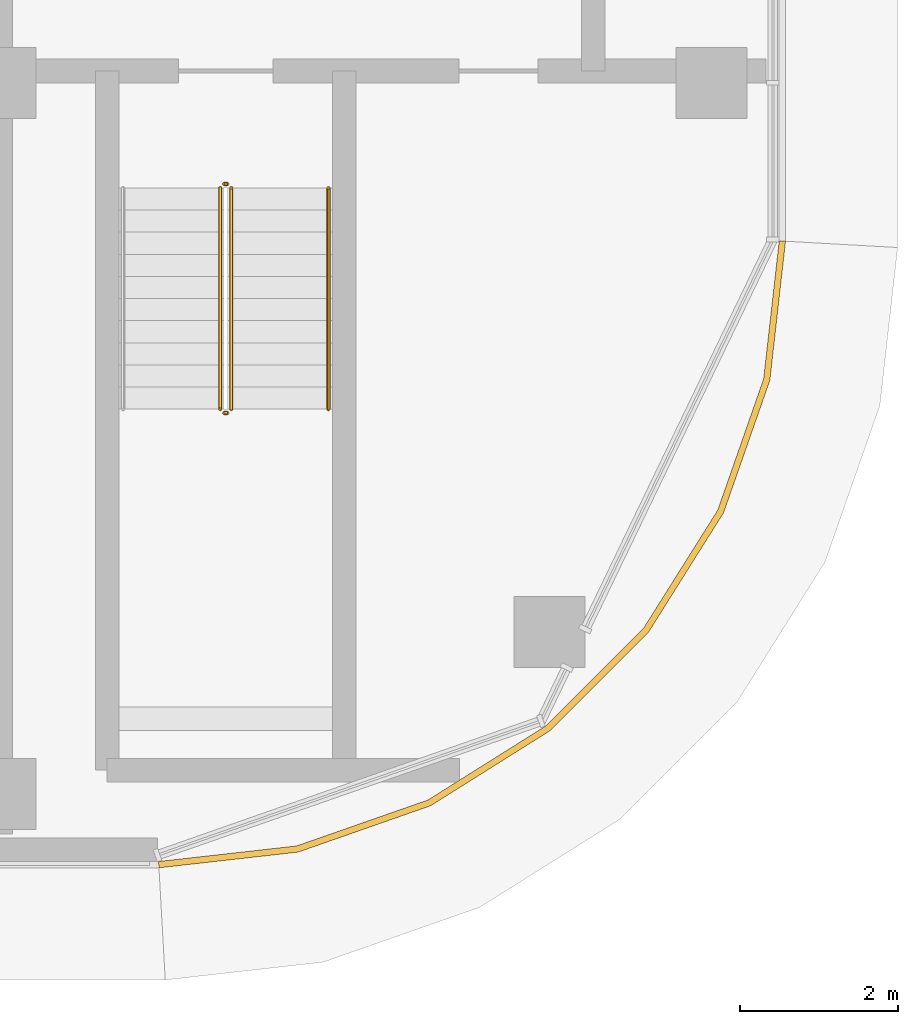
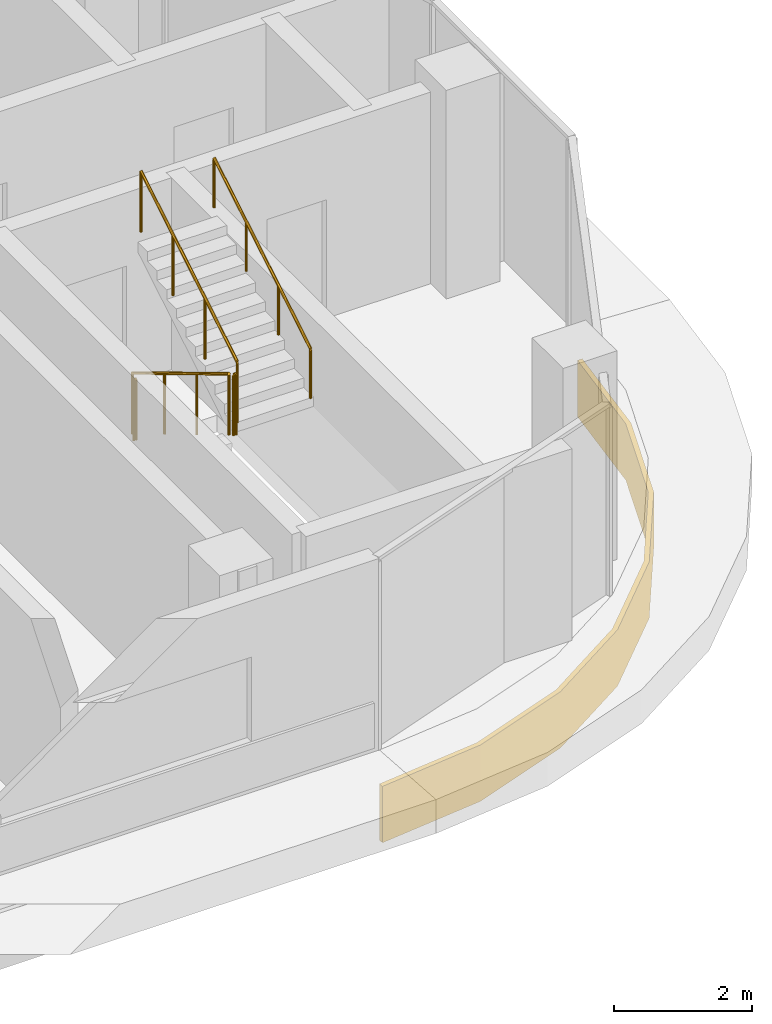
# One storey, part 21 of 22: 5 railings, 1 covering.
"""IFC4 building model written with IfcOpenShell, lengths in metres."""

from ifc_helpers import new_model, si_unit, direction, frame, origin, origin_2d, place, context, subcontext, project, spatial, polyline, circle, outline, extrude, material, layer, layer_set, type_object, element, save


model = new_model("IFC4")

# Units and contexts
model_context = context("Model", 3, precision=1e-05, world=origin(), true_north=direction((0.0, 1.0)))
body_context = subcontext(model_context, "Body", "Model", "MODEL_VIEW")
ifc_project = project(units=[si_unit("LENGTHUNIT", "METRE"), si_unit("AREAUNIT", "SQUARE_METRE"), si_unit("VOLUMEUNIT", "CUBIC_METRE"), si_unit("PLANEANGLEUNIT", "RADIAN"), si_unit("MASSUNIT", "GRAM", prefix="KILO")], contexts=[model_context])

# Site, building, storey
site_placement = place(None, origin())
site = spatial("IfcSite", under=ifc_project, at=site_placement, CompositionType="ELEMENT")
building_placement = place(site_placement, origin())
building = spatial("IfcBuilding", under=site, at=building_placement, Name="Ogive Portal Towers", CompositionType="ELEMENT")
storey_placement = place(building_placement, frame((0.0, 0.0, 206.89990234375)))
storey = spatial("IfcBuildingStorey", under=building, at=storey_placement, Name="L51", CompositionType="ELEMENT", Elevation=206.89990234375)

# Railings
ifc_material_1 = material(Name="Stainless steel balustrade", Category="steel")
railing_type_1 = type_object("IfcRailingType", Name="INT-GUARD", PredefinedType="GUARDRAIL", material=ifc_material_1)
railing_1_placement = place(storey_placement, frame((88.280029296875, 29.169921875, 0.168212890625)))
element("IfcRailing", 1, at=railing_1_placement, inside=storey, type_object=railing_type_1, Name="L51 ST-A4 stair guard 1", PredefinedType="GUARDRAIL", context=body_context, shape_type="SweptSolid", body=[
    extrude(circle(Radius=0.02392578125, at=origin_2d()), frame((0.0, 0.0, 1.076171875), z_axis=(0.0, -0.857222391501, 0.514946377315), x_axis=(1.0, 0.0, 0.0)), (0.0, 0.0, 1.0), 3.26611328125),
    extrude(circle(Radius=0.02099609375, at=origin_2d()), origin(), (0.0, 0.0, 1.0), 1.052001953125),
    extrude(circle(Radius=0.02099609375, at=origin_2d()), frame((0.0, -0.933349609375, 0.560546875)), (0.0, 0.0, 1.0), 1.052001953125),
    extrude(circle(Radius=0.02099609375, at=origin_2d()), frame((0.0, -1.866455078125, 1.121337890625)), (0.0, 0.0, 1.0), 1.052001953125),
    extrude(circle(Radius=0.02099609375, at=origin_2d()), frame((0.0, -2.7998046875, 1.681884765625)), (0.0, 0.0, 1.0), 1.052001953125),
])
railing_2_placement = place(storey_placement, frame((88.330078125, 26.320068359375, 1.85009765625)))
element("IfcRailing", 2, at=railing_2_placement, inside=storey, type_object=railing_type_1, Name="L51 ST-A4 stair guard 2", PredefinedType="GUARDRAIL", context=body_context, shape_type="SweptSolid", body=[
    extrude(circle(Radius=0.02392578125, at=origin_2d()), frame((0.0, 0.0, 1.076171875), z_axis=(1.0, 0.0, 0.0), x_axis=(0.0, 1.0, 0.0)), (0.0, 0.0, 1.0), 0.0400390625),
    extrude(circle(Radius=0.02099609375, at=origin_2d()), origin(), (0.0, 0.0, 1.0), 1.052001953125),
    extrude(circle(Radius=0.02099609375, at=origin_2d()), frame((0.0400390625, 0.0, 0.0)), (0.0, 0.0, 1.0), 1.052001953125),
])
railing_3_placement = place(storey_placement, frame((88.419921875, 26.3701171875, 2.018310546875)))
element("IfcRailing", 3, at=railing_3_placement, inside=storey, type_object=railing_type_1, Name="L51 ST-A4 stair guard 3", PredefinedType="GUARDRAIL", context=body_context, shape_type="SweptSolid", body=[
    extrude(circle(Radius=0.02392578125, at=origin_2d()), frame((0.0, 0.0, 1.076171875), z_axis=(0.0, 0.857222391501, 0.514946377315), x_axis=(-1.0, 0.0, 0.0)), (0.0, 0.0, 1.0), 3.26611328125),
    extrude(circle(Radius=0.02099609375, at=origin_2d()), origin(), (0.0, 0.0, 1.0), 1.052001953125),
    extrude(circle(Radius=0.02099609375, at=origin_2d()), frame((0.0, 0.933349609375, 0.560546875)), (0.0, 0.0, 1.0), 1.052001953125),
    extrude(circle(Radius=0.02099609375, at=origin_2d()), frame((0.0, 1.866455078125, 1.121337890625)), (0.0, 0.0, 1.0), 1.052001953125),
    extrude(circle(Radius=0.02099609375, at=origin_2d()), frame((0.0, 2.7998046875, 1.681884765625)), (0.0, 0.0, 1.0), 1.052001953125),
])
railing_4_placement = place(storey_placement, frame((88.330078125, 29.219970703125, 0.0)))
element("IfcRailing", 4, at=railing_4_placement, inside=storey, type_object=railing_type_1, Name="L51 ST-A4 stair guard 4", PredefinedType="GUARDRAIL", context=body_context, shape_type="SweptSolid", body=[
    extrude(circle(Radius=0.02392578125, at=origin_2d()), frame((0.0, 0.0, 1.076171875), z_axis=(1.0, 0.0, 0.0), x_axis=(0.0, 1.0, 0.0)), (0.0, 0.0, 1.0), 0.0400390625),
    extrude(circle(Radius=0.02099609375, at=origin_2d()), origin(), (0.0, 0.0, 1.0), 1.052001953125),
    extrude(circle(Radius=0.02099609375, at=origin_2d()), frame((0.0400390625, 0.0, 0.0)), (0.0, 0.0, 1.0), 1.052001953125),
])
ifc_material_2 = material(Name="Stainless steel handrail", Category="steel")
railing_type_2 = type_object("IfcRailingType", Name="INT-HANDRAIL", PredefinedType="HANDRAIL", material=ifc_material_2)
railing_5_placement = place(storey_placement, frame((89.64990234375, 26.3701171875, 2.018310546875)))
element("IfcRailing", 5, at=railing_5_placement, inside=storey, type_object=railing_type_2, Name="L51 ST-A4 stair handrail 2", PredefinedType="HANDRAIL", context=body_context, shape_type="SweptSolid", body=[
    extrude(circle(Radius=0.02392578125, at=origin_2d()), frame((0.0, 0.0, 0.8759765625), z_axis=(0.0, 0.857222391501, 0.514946377315), x_axis=(-1.0, 0.0, 0.0)), (0.0, 0.0, 1.0), 3.26611328125),
    extrude(circle(Radius=0.02099609375, at=origin_2d()), origin(), (0.0, 0.0, 1.0), 0.851806640625),
    extrude(circle(Radius=0.02099609375, at=origin_2d()), frame((0.0, 0.933349609375, 0.560546875)), (0.0, 0.0, 1.0), 0.851806640625),
    extrude(circle(Radius=0.02099609375, at=origin_2d()), frame((0.0, 1.866455078125, 1.121337890625)), (0.0, 0.0, 1.0), 0.851806640625),
    extrude(circle(Radius=0.02099609375, at=origin_2d()), frame((0.0, 2.7998046875, 1.681884765625)), (0.0, 0.0, 1.0), 0.851806640625),
])

# Covering
ifc_material_3 = material(Name="Limestone cladding on lightweight block wall", Category="masonry")
ifc_layer = layer(ifc_material_3, 0.080078125)
ifc_layer_set = layer_set([ifc_layer], Name="STONE SPANDREL 80")
covering_type = type_object("IfcCoveringType", Name="STONE SPANDREL 80", PredefinedType="CLADDING", material=ifc_layer_set)
covering_placement = place(storey_placement, frame((0.0, 0.0, -1.599853515625)))
element("IfcCovering", 6, at=covering_placement, inside=storey, type_object=covering_type, Name="Stone spandrel A1-F06", PredefinedType="CLADDING", context=body_context, shape_type="SweptSolid", body=[
    extrude(outline(polyline([(87.5, 20.64501953125), (89.247802734375, 20.842041015625), (90.908203125, 21.4228515625), (92.3974609375, 22.358642578125), (93.641357421875, 23.6025390625), (94.5771484375, 25.091796875), (95.157958984375, 26.752197265625), (95.35498046875, 28.5), (95.43505859375, 28.49560546875), (95.236572265625, 26.734130859375), (94.649658203125, 25.056884765625), (93.704345703125, 23.55224609375), (92.44775390625, 22.295654296875), (90.943115234375, 21.350341796875), (89.265869140625, 20.763427734375), (87.50439453125, 20.56494140625), (87.5, 20.64501953125)])), origin(), (0.0, 0.0, 1.0), 1.0),
])

save(model, "model.ifc")
